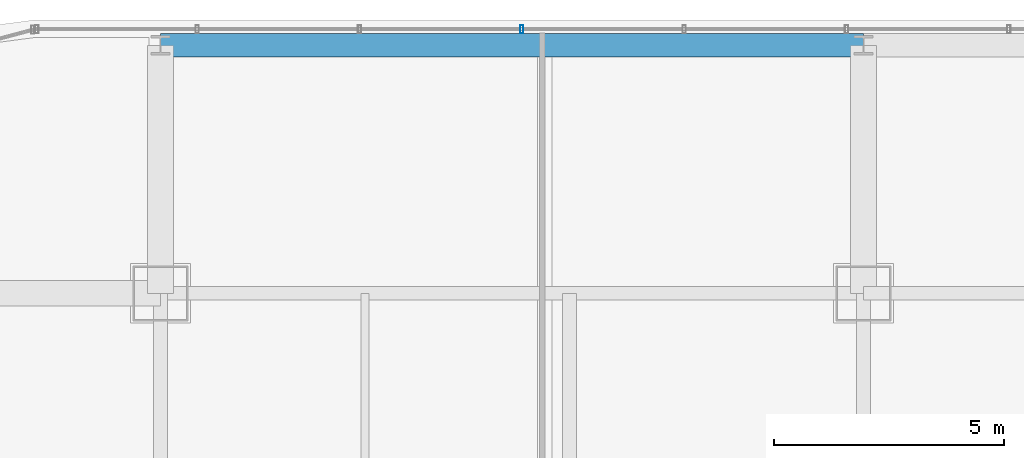
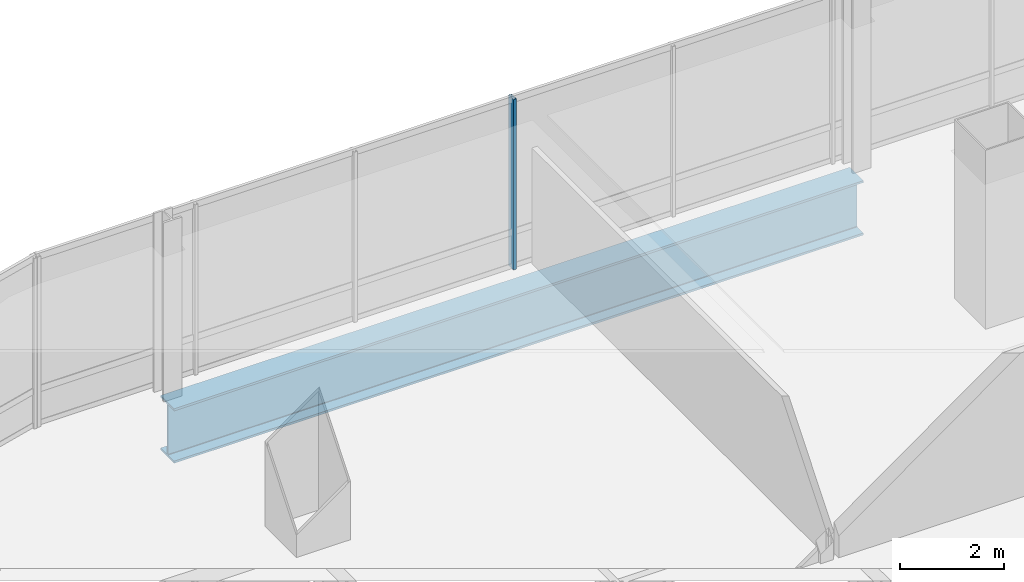
# One storey, part 24 of 42: 1 beam, 1 member, 1 element without a shape of its own.
"""IFC4 building model written with IfcOpenShell, lengths in metres."""

from ifc_helpers import new_model, si_unit, direction, frame, origin, origin_2d, place, context, subcontext, project, spatial, hollow_rectangle, i_section, extrude, material, material_profile, profile_set, type_object, element, aggregate, save


model = new_model("IFC4")

# Units and contexts
model_context = context("Model", 3, precision=1e-05, world=origin(), true_north=direction((0.0, 1.0)))
body_context = subcontext(model_context, "Body", "Model", "MODEL_VIEW")
ifc_project = project(units=[si_unit("LENGTHUNIT", "METRE"), si_unit("AREAUNIT", "SQUARE_METRE"), si_unit("VOLUMEUNIT", "CUBIC_METRE"), si_unit("PLANEANGLEUNIT", "RADIAN"), si_unit("MASSUNIT", "GRAM", prefix="KILO")], contexts=[model_context])

# Site, building, storey
site_placement = place(None, origin())
site = spatial("IfcSite", under=ifc_project, at=site_placement, CompositionType="ELEMENT")
building_placement = place(site_placement, origin())
building = spatial("IfcBuilding", under=site, at=building_placement, Name="Punatoya Terracotta Tower", CompositionType="ELEMENT")
storey_placement = place(building_placement, frame((0.0, 0.0, 296.39990234375)))
storey = spatial("IfcBuildingStorey", under=building, at=storey_placement, Name="L70", CompositionType="ELEMENT", Elevation=296.39990234375)

# Beam
ifc_material_1 = material(Name="Steel S460", Category="steel")
ifc_material_profile_1 = material_profile(ifc_material_1, i_section(OverallWidth=0.52001953125, OverallDepth=1.280029296875, WebThickness=0.031982421875, FlangeThickness=0.050048828125, FilletRadius=0.01806640625, at=origin_2d()))
ifc_profile_set_1 = profile_set([ifc_material_profile_1], Name="Steel S460")
beam_type = type_object("IfcBeamType", Name="BM-TG-NCK", PredefinedType="BEAM", material=ifc_profile_set_1)
beam_placement = place(storey_placement, frame((-19.10009765625, 22.89990234375, -0.83984375), z_axis=(1.0, 0.0, 0.0), x_axis=(0.0, 1.0, 0.0)))
element("IfcBeam", 1, at=beam_placement, inside=storey, type_object=beam_type, Name="BM-L70-PER-N1", PredefinedType="BEAM", context=body_context, shape_type="SweptSolid", body=[
    extrude(i_section(OverallWidth=0.52001953125, OverallDepth=1.280029296875, WebThickness=0.031982421875, FlangeThickness=0.050048828125, FilletRadius=0.01806640625, at=origin_2d()), origin(), (0.0, 0.0, 1.0), 15.300048828125),
])

# Curtain wall, member
ifc_material_2 = material(Name="Aluminium 6063-T6 + Double Low-E Glass", Category="aluminium")
curtain_wall_type = type_object("IfcCurtainWallType", Name="CW-M3", PredefinedType="NOTDEFINED", material=ifc_material_2)
curtain_wall_placement = place(storey_placement, origin())
curtain_wall = element("IfcCurtainWall", 2, at=curtain_wall_placement, inside=storey, type_object=curtain_wall_type, Name="L70 Curtain Wall CW-L70-N09-1", PredefinedType="NOTDEFINED")
ifc_material_3 = material(Name="Aluminium 6063-T6", Category="aluminium")
ifc_material_profile_2 = material_profile(ifc_material_3, hollow_rectangle(XDim=0.070068359375, YDim=0.179931640625, WallThickness=0.00390625, at=origin_2d()))
ifc_profile_set_2 = profile_set([ifc_material_profile_2], Name="Aluminium 6063-T6")
member_type = type_object("IfcMemberType", Name="CW-MUL-M3", PredefinedType="MULLION", material=ifc_profile_set_2)
member_placement = place(storey_placement, frame((-11.235107421875, 23.25, 0.0), z_axis=(0.0, 0.0, 1.0), x_axis=(1.0, 0.0, 0.0)))
member = element("IfcMember", 3, at=member_placement, type_object=member_type, Name="CW-L70-N09-1 Mullion 08", PredefinedType="MULLION", context=body_context, shape_type="SweptSolid", body=[
    extrude(hollow_rectangle(XDim=0.070068359375, YDim=0.179931640625, WallThickness=0.00390625, at=origin_2d()), origin(), (0.0, 0.0, 1.0), 4.0),
])
aggregate(curtain_wall, [member])

save(model, "model.ifc")
